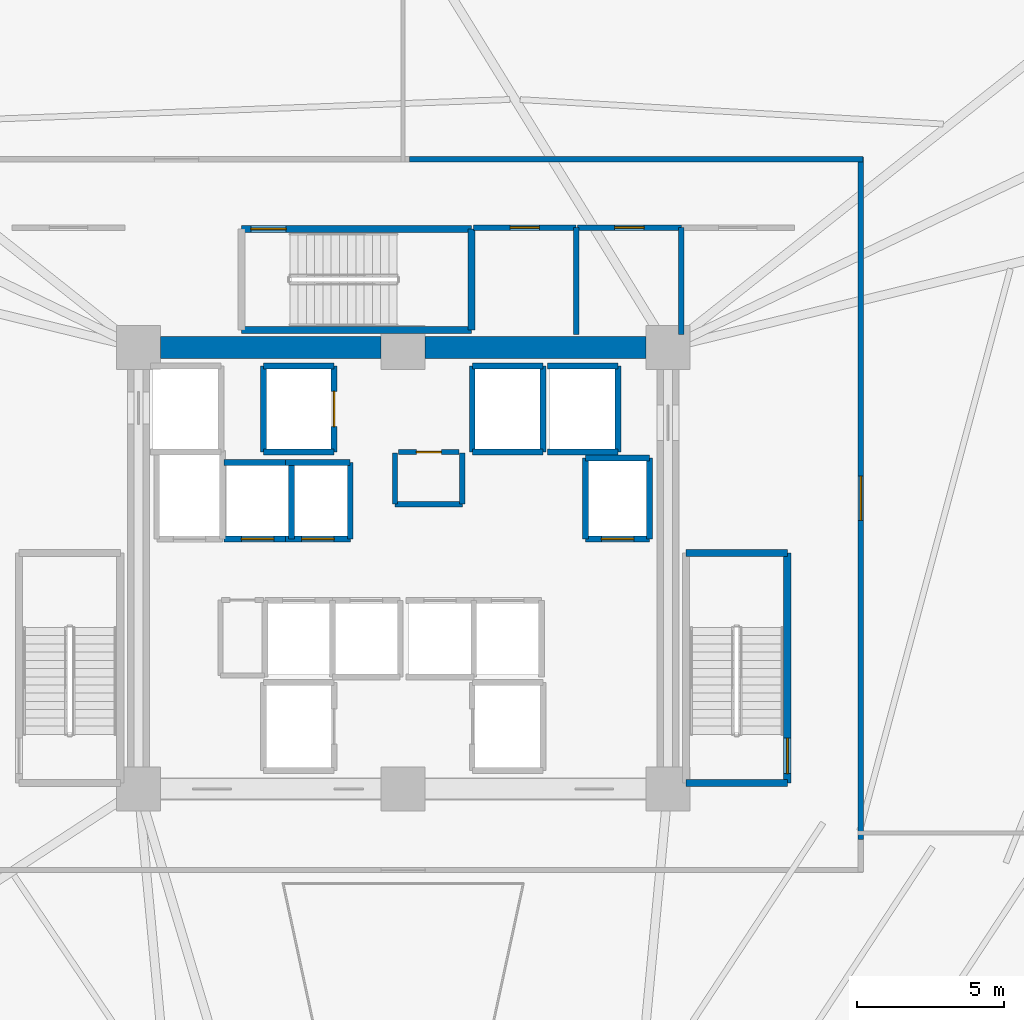
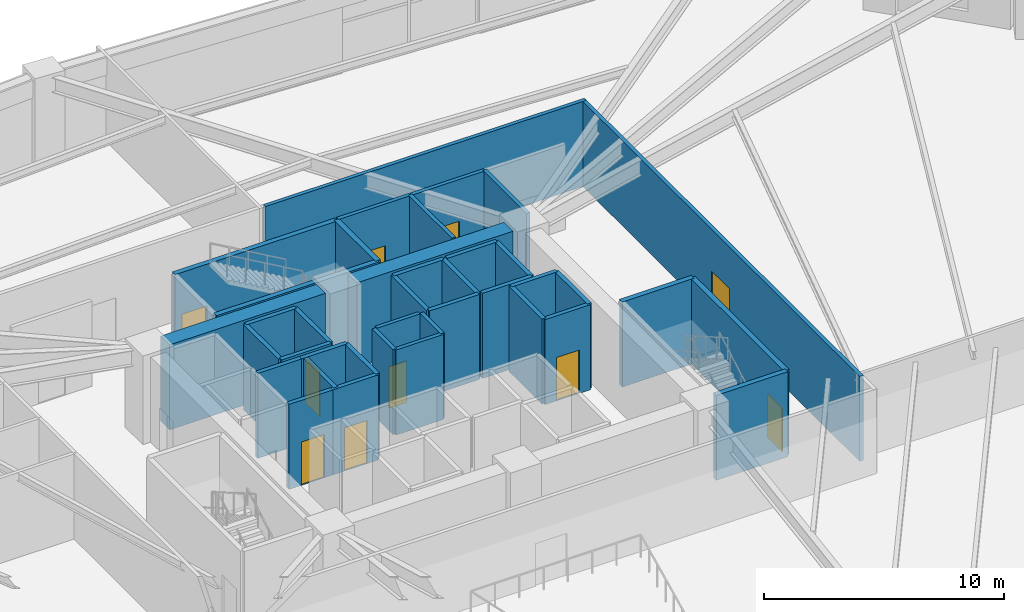
# One storey, part 27 of 30: 39 walls, 10 doors, 10 openings.
"""IFC4 building model written with IfcOpenShell, lengths in metres."""

from ifc_helpers import new_model, si_unit, direction, frame, frame_2d, origin, place, context, subcontext, project, spatial, rectangle, extrude, source, transform, mapped, material, layer, layer_set, type_object, element, fill, save


model = new_model("IFC4")

# Units and contexts
model_context = context("Model", 3, precision=1e-05, world=origin(), true_north=direction((0.0, 1.0)))
body_context = subcontext(model_context, "Body", "Model", "MODEL_VIEW")
ifc_project = project(units=[si_unit("LENGTHUNIT", "METRE"), si_unit("AREAUNIT", "SQUARE_METRE"), si_unit("VOLUMEUNIT", "CUBIC_METRE"), si_unit("PLANEANGLEUNIT", "RADIAN"), si_unit("MASSUNIT", "GRAM", prefix="KILO")], contexts=[model_context])

# Site, building, storey
site_placement = place(None, origin())
site = spatial("IfcSite", under=ifc_project, at=site_placement, CompositionType="ELEMENT")
building_placement = place(site_placement, origin())
building = spatial("IfcBuilding", under=site, at=building_placement, Name="Liaohun Quay Tower", CompositionType="ELEMENT")
storey_placement = place(building_placement, frame((0.0, 0.0, 97.5)))
storey = spatial("IfcBuildingStorey", under=building, at=storey_placement, Name="L25", CompositionType="ELEMENT", Elevation=97.5)

# Walls
ifc_material_1 = material(Name="Concrete C60", Category="concrete")
ifc_layer_1 = layer(ifc_material_1, 0.75, Name="Concrete C60", Category="concrete")
ifc_layer_set_1 = layer_set([ifc_layer_1], Name="Concrete C60")
wall_type_1 = type_object("IfcWallType", Name="WAL-COR-Z2", PredefinedType="SHEAR", material=ifc_layer_set_1)
for number, where, z_axis, x_axis, name in (
    (1, (51.75, 61.5, 0.0), (0.0, 0.0, 1.0), (1.0, 0.0, 0.0), "L25 Central Core Shear Wall N-W"),
    (2, (60.75, 61.5, 0.0), (0.0, 0.0, 1.0), (1.0, 0.0, 0.0), "L25 Central Core Shear Wall N-E"),
):
    element("IfcWall", number, at=place(storey_placement, frame(where, z_axis=z_axis, x_axis=x_axis)), inside=storey, type_object=wall_type_1, Name=name, PredefinedType="SHEAR", context=body_context, shape_type="SweptSolid", body=[
        extrude(rectangle(XDim=7.5, YDim=0.75, at=frame_2d((3.75, 0.0))), origin(), (0.0, 0.0, 1.0), 4.320068359375),
    ])

# Wall, opening, door
ifc_material_2 = material(Name="Autoclaved aerated concrete blockwork", Category="masonry")
ifc_layer_2 = layer(ifc_material_2, 0.179931640625, Name="Autoclaved aerated concrete blockwork", Category="masonry")
ifc_layer_set_2 = layer_set([ifc_layer_2], Name="Autoclaved aerated concrete blockwork")
wall_type_2 = type_object("IfcWallType", Name="WAL-PRT-COR", PredefinedType="PARTITIONING", material=ifc_layer_set_2)
wall_1_placement = place(storey_placement, frame((59.840087890625, 57.949951171875, 0.0), z_axis=(0.0, 0.0, 1.0), x_axis=(1.0, 0.0, 0.0)))
wall_1 = element("IfcWall", 3, at=wall_1_placement, inside=storey, type_object=wall_type_2, Name="L25 Interior Partition Wall 001", PredefinedType="PARTITIONING", context=body_context, shape_type="SweptSolid", body=[
    extrude(rectangle(XDim=2.059814453125, YDim=0.179931640625, at=frame_2d((1.02978515625, 0.0))), origin(), (0.0, 0.0, 1.0), 4.320068359375),
])
shared_shape_1 = source(origin(), body_context, "Body", "SweptSolid", [
    extrude(rectangle(XDim=0.85009765625, YDim=2.10009765625, at=frame_2d((0.425048828125, 1.050048828125))), frame((0.0, 0.099853515625, 0.0), z_axis=(0.0, -1.0, 0.0), x_axis=(1.0, 0.0, 0.0)), (0.0, 0.0, 1.0), 0.199951171875),
])
opening_1_placement = place(wall_1_placement, frame((0.60498046875, 0.0, 0.0)))
opening_1 = element("IfcOpeningElement", 4, at=opening_1_placement, cuts=wall_1, Name="Opening AD1", PredefinedType="OPENING", context=body_context, shape_type="MappedRepresentation", body=[
    mapped(shared_shape_1, transform((0.0, 0.0, 0.0), x_axis=(1.0, 0.0, 0.0), y_axis=(0.0, 1.0, 0.0), z_axis=(0.0, 0.0, 1.0), scale=1.0)),
])
ifc_material_3 = material(Name="Steel riser inspection fire door", Category="steel")
door_type_1 = type_object("IfcDoorType", Name="DOR-SHF-850", OperationType="NOTDEFINED", PredefinedType="DOOR", material=ifc_material_3)
shared_shape_2 = source(origin(), body_context, "Body", "SweptSolid", [
    extrude(rectangle(XDim=0.85009765625, YDim=2.10009765625, at=frame_2d((0.425048828125, 1.050048828125))), frame((0.0, 0.02490234375, 0.0), z_axis=(0.0, -1.0, 0.0), x_axis=(1.0, 0.0, 0.0)), (0.0, 0.0, 1.0), 0.050048828125),
])
door_1_placement = place(opening_1_placement, origin())
door_1 = element("IfcDoor", 5, at=door_1_placement, inside=storey, type_object=door_type_1, Name="L25 Core Janitor and Cleaner Store Door", OperationType="SINGLE_SWING_LEFT", OverallHeight=2.10009765625, OverallWidth=0.85009765625, PredefinedType="DOOR", context=body_context, shape_type="MappedRepresentation", body=[
    mapped(shared_shape_2, transform((0.0, 0.0, 0.0), x_axis=(1.0, 0.0, 0.0), y_axis=(0.0, 1.0, 0.0), z_axis=(0.0, 0.0, 1.0), scale=1.0)),
])
fill(opening_1, door_1)

wall_2_placement = place(storey_placement, frame((62.389892578125, 65.580078125, 0.0), z_axis=(0.0, 0.0, 1.0), x_axis=(1.0, 0.0, 0.0)))
wall_2 = element("IfcWall", 6, at=wall_2_placement, inside=storey, type_object=wall_type_2, Name="L25 Interior Partition Wall 006", PredefinedType="PARTITIONING", context=body_context, shape_type="SweptSolid", body=[
    extrude(rectangle(XDim=3.489990234375, YDim=0.179931640625, at=frame_2d((1.7451171875, 0.0))), origin(), (0.0, 0.0, 1.0), 4.320068359375),
])
shared_shape_3 = source(origin(), body_context, "Body", "SweptSolid", [
    extrude(rectangle(XDim=1.0, YDim=2.199951171875, at=frame_2d((0.5, 1.10009765625))), frame((0.0, 0.099853515625, 0.0), z_axis=(0.0, -1.0, 0.0), x_axis=(1.0, 0.0, 0.0)), (0.0, 0.0, 1.0), 0.199951171875),
])
opening_2_placement = place(wall_2_placement, frame((1.2451171875, 0.0, 0.0)))
opening_2 = element("IfcOpeningElement", 7, at=opening_2_placement, cuts=wall_2, Name="Opening OD1", PredefinedType="OPENING", context=body_context, shape_type="MappedRepresentation", body=[
    mapped(shared_shape_3, transform((0.0, 0.0, 0.0), x_axis=(1.0, 0.0, 0.0), y_axis=(0.0, 1.0, 0.0), z_axis=(0.0, 0.0, 1.0), scale=1.0)),
])
ifc_material_4 = material(Name="Solid-core oak veneer timber leaf in steel frame", Category="steel")
door_type_2 = type_object("IfcDoorType", Name="DOR-OFF-1000", OperationType="NOTDEFINED", PredefinedType="DOOR", material=ifc_material_4)
shared_shape_4 = source(origin(), body_context, "Body", "SweptSolid", [
    extrude(rectangle(XDim=1.0, YDim=2.199951171875, at=frame_2d((0.5, 1.10009765625))), frame((0.0, 0.02490234375, 0.0), z_axis=(0.0, -1.0, 0.0), x_axis=(1.0, 0.0, 0.0)), (0.0, 0.0, 1.0), 0.050048828125),
])
door_2_placement = place(opening_2_placement, origin())
door_2 = element("IfcDoor", 8, at=door_2_placement, inside=storey, type_object=door_type_2, Name="L25 North-East Archive Store Door", OperationType="SINGLE_SWING_RIGHT", OverallHeight=2.199951171875, OverallWidth=1.0, PredefinedType="DOOR", context=body_context, shape_type="MappedRepresentation", body=[
    mapped(shared_shape_4, transform((0.0, 0.0, 0.0), x_axis=(1.0, 0.0, 0.0), y_axis=(0.0, 1.0, 0.0), z_axis=(0.0, 0.0, 1.0), scale=1.0)),
])
fill(opening_2, door_2)

wall_3_placement = place(storey_placement, frame((65.919921875, 65.580078125, 0.0), z_axis=(0.0, 0.0, 1.0), x_axis=(1.0, 0.0, 0.0)))
wall_3 = element("IfcWall", 9, at=wall_3_placement, inside=storey, type_object=wall_type_2, Name="L25 Interior Partition Wall 007", PredefinedType="PARTITIONING", context=body_context, shape_type="SweptSolid", body=[
    extrude(rectangle(XDim=3.5400390625, YDim=0.179931640625, at=frame_2d((1.77001953125, 0.0))), origin(), (0.0, 0.0, 1.0), 4.320068359375),
])
opening_3_placement = place(wall_3_placement, frame((1.27001953125, 0.0, 0.0)))
opening_3 = element("IfcOpeningElement", 10, at=opening_3_placement, cuts=wall_3, Name="Opening OD1", PredefinedType="OPENING", context=body_context, shape_type="MappedRepresentation", body=[
    mapped(shared_shape_3, transform((0.0, 0.0, 0.0), x_axis=(1.0, 0.0, 0.0), y_axis=(0.0, 1.0, 0.0), z_axis=(0.0, 0.0, 1.0), scale=1.0)),
])
door_3_placement = place(opening_3_placement, origin())
door_3 = element("IfcDoor", 11, at=door_3_placement, inside=storey, type_object=door_type_2, Name="L25 North-East Pantry Room Door", OperationType="SINGLE_SWING_LEFT", OverallHeight=2.199951171875, OverallWidth=1.0, PredefinedType="DOOR", context=body_context, shape_type="MappedRepresentation", body=[
    mapped(shared_shape_4, transform((0.0, 0.0, 0.0), x_axis=(1.0, 0.0, 0.0), y_axis=(0.0, 1.0, 0.0), z_axis=(0.0, 0.0, 1.0), scale=1.0)),
])
fill(opening_3, door_3)

wall_4_placement = place(storey_placement, frame((75.56005859375, 67.97998046875, 0.0), z_axis=(0.0, 0.0, 1.0), x_axis=(0.0, -1.0, 0.0)))
wall_4 = element("IfcWall", 12, at=wall_4_placement, inside=storey, type_object=wall_type_2, Name="L25 Interior Partition Wall 010", PredefinedType="PARTITIONING", context=body_context, shape_type="SweptSolid", body=[
    extrude(rectangle(XDim=23.195068359375, YDim=0.179931640625, at=frame_2d((11.59765625, 0.0))), origin(), (0.0, 0.0, 1.0), 4.320068359375),
])
shared_shape_5 = source(origin(), body_context, "Body", "SweptSolid", [
    extrude(rectangle(XDim=1.5, YDim=2.199951171875, at=frame_2d((0.75, 1.10009765625))), frame((0.0, 0.099853515625, 0.0), z_axis=(0.0, -1.0, 0.0), x_axis=(1.0, 0.0, 0.0)), (0.0, 0.0, 1.0), 0.199951171875),
])
opening_4_placement = place(wall_4_placement, frame((10.847900390625, 0.0, 0.0)))
opening_4 = element("IfcOpeningElement", 13, at=opening_4_placement, cuts=wall_4, Name="Opening OD2", PredefinedType="OPENING", context=body_context, shape_type="MappedRepresentation", body=[
    mapped(shared_shape_5, transform((0.0, 0.0, 0.0), x_axis=(1.0, 0.0, 0.0), y_axis=(0.0, 1.0, 0.0), z_axis=(0.0, 0.0, 1.0), scale=1.0)),
])
ifc_material_5 = material(Name="Acoustic oak veneer double door")
door_type_3 = type_object("IfcDoorType", Name="DOR-OFF-1500", OperationType="DOUBLE_DOOR_SINGLE_SWING", PredefinedType="DOOR", material=ifc_material_5)
shared_shape_6 = source(origin(), body_context, "Body", "SweptSolid", [
    extrude(rectangle(XDim=1.5, YDim=2.199951171875, at=frame_2d((0.75, 1.10009765625))), frame((0.0, 0.02490234375, 0.0), z_axis=(0.0, -1.0, 0.0), x_axis=(1.0, 0.0, 0.0)), (0.0, 0.0, 1.0), 0.050048828125),
])
door_4_placement = place(opening_4_placement, origin())
door_4 = element("IfcDoor", 14, at=door_4_placement, inside=storey, type_object=door_type_3, Name="L25 Low-Zone Sky Lobby Transfer Concourse 01 Door", OperationType="DOUBLE_DOOR_SINGLE_SWING", OverallHeight=2.199951171875, OverallWidth=1.5, PredefinedType="DOOR", context=body_context, shape_type="MappedRepresentation", body=[
    mapped(shared_shape_6, transform((0.0, 0.0, 0.0), x_axis=(1.0, 0.0, 0.0), y_axis=(0.0, 1.0, 0.0), z_axis=(0.0, 0.0, 1.0), scale=1.0)),
])
fill(opening_4, door_4)

# Walls
for number, where, z_axis, x_axis, name in (
    (15, (59.719970703125, 56.179931640625, 0.0), (0.0, 0.0, 1.0), (0.0, 1.0, 0.0), "L25 Interior Partition Wall 013"),
    (16, (62.010009765625, 56.179931640625, 0.0), (0.0, 0.0, 1.0), (0.0, 1.0, 0.0), "L25 Interior Partition Wall 014"),
):
    element("IfcWall", number, at=place(storey_placement, frame(where, z_axis=z_axis, x_axis=x_axis)), inside=storey, type_object=wall_type_2, Name=name, PredefinedType="PARTITIONING", context=body_context, shape_type="SweptSolid", body=[
        extrude(rectangle(XDim=1.739990234375, YDim=0.179931640625, at=frame_2d((0.8701171875, 0.0))), origin(), (0.0, 0.0, 1.0), 4.320068359375),
    ])
wall_5_placement = place(storey_placement, frame((59.719970703125, 56.179931640625, 0.0), z_axis=(0.0, 0.0, 1.0), x_axis=(1.0, 0.0, 0.0)))
element("IfcWall", 17, at=wall_5_placement, inside=storey, type_object=wall_type_2, Name="L25 Interior Partition Wall 015", PredefinedType="PARTITIONING", context=body_context, shape_type="SweptSolid", body=[
    extrude(rectangle(XDim=2.2900390625, YDim=0.179931640625, at=frame_2d((1.14501953125, 0.0))), origin(), (0.0, 0.0, 1.0), 4.320068359375),
])
for number, where, z_axis, x_axis, name in (
    (18, (65.8798828125, 61.949951171875, 0.0), (0.0, 0.0, 1.0), (0.0, 1.0, 0.0), "L25 Interior Partition Wall 023"),
    (19, (69.4599609375, 61.949951171875, 0.0), (0.0, 0.0, 1.0), (0.0, 1.0, 0.0), "L25 Interior Partition Wall 024"),
):
    element("IfcWall", number, at=place(storey_placement, frame(where, z_axis=z_axis, x_axis=x_axis)), inside=storey, type_object=wall_type_2, Name=name, PredefinedType="PARTITIONING", context=body_context, shape_type="SweptSolid", body=[
        extrude(rectangle(XDim=3.630126953125, YDim=0.179931640625, at=frame_2d((1.81494140625, 0.0))), origin(), (0.0, 0.0, 1.0), 4.320068359375),
    ])
wall_6_placement = place(storey_placement, frame((60.215087890625, 67.909912109375, 0.0), z_axis=(0.0, 0.0, 1.0), x_axis=(1.0, 0.0, 0.0)))
element("IfcWall", 20, at=wall_6_placement, inside=storey, type_object=wall_type_2, Name="L25 Interior Partition Wall 025", PredefinedType="PARTITIONING", context=body_context, shape_type="SweptSolid", body=[
    extrude(rectangle(XDim=15.414794921875, YDim=0.179931640625, at=frame_2d((7.70751953125, 0.0))), origin(), (0.0, 0.0, 1.0), 4.320068359375),
])
ifc_material_6 = material(Name="Concrete C50", Category="concrete")
ifc_layer_3 = layer(ifc_material_6, 0.239990234375, Name="Concrete C50", Category="concrete")
ifc_layer_set_3 = layer_set([ifc_layer_3], Name="Concrete C50")
wall_type_3 = type_object("IfcWallType", Name="WAL-SHF-200", PredefinedType="SOLIDWALL", material=ifc_layer_set_3)
wall_7_placement = place(storey_placement, frame((69.6201171875, 46.699951171875, 0.0), z_axis=(0.0, 0.0, 1.0), x_axis=(1.0, 0.0, 0.0)))
element("IfcWall", 21, at=wall_7_placement, inside=storey, type_object=wall_type_3, Name="L25 Stairwell ST-2 Structural Core Wall S", PredefinedType="SOLIDWALL", context=body_context, shape_type="SweptSolid", body=[
    extrude(rectangle(XDim=3.43994140625, YDim=0.239990234375, at=frame_2d((1.719970703125, 0.0))), origin(), (0.0, 0.0, 1.0), 4.320068359375),
])

# Wall, opening, door
wall_8_placement = place(storey_placement, frame((73.06005859375, 46.699951171875, 0.0), z_axis=(0.0, 0.0, 1.0), x_axis=(0.0, 1.0, 0.0)))
wall_8 = element("IfcWall", 22, at=wall_8_placement, inside=storey, type_object=wall_type_3, Name="L25 Stairwell ST-2 Structural Core Wall E", PredefinedType="SOLIDWALL", context=body_context, shape_type="SweptSolid", body=[
    extrude(rectangle(XDim=7.820068359375, YDim=0.239990234375, at=frame_2d((3.91015625, 0.0))), origin(), (0.0, 0.0, 1.0), 4.320068359375),
])
shared_shape_7 = source(origin(), body_context, "Body", "SweptSolid", [
    extrude(rectangle(XDim=1.199951171875, YDim=2.199951171875, at=frame_2d((0.60009765625, 1.10009765625))), frame((0.0, 0.1298828125, 0.0), z_axis=(0.0, -1.0, 0.0), x_axis=(1.0, 0.0, 0.0)), (0.0, 0.0, 1.0), 0.260009765625),
])
opening_5_placement = place(wall_8_placement, frame((0.320068359375, 0.0, 0.0)))
opening_5 = element("IfcOpeningElement", 23, at=opening_5_placement, cuts=wall_8, Name="Opening SD1", PredefinedType="OPENING", context=body_context, shape_type="MappedRepresentation", body=[
    mapped(shared_shape_7, transform((0.0, 0.0, 0.0), x_axis=(1.0, 0.0, 0.0), y_axis=(0.0, 1.0, 0.0), z_axis=(0.0, 0.0, 1.0), scale=1.0)),
])
ifc_material_7 = material(Name="Galvanised steel fire door", Category="steel")
door_type_4 = type_object("IfcDoorType", Name="DOR-STR-1200", OperationType="NOTDEFINED", PredefinedType="DOOR", material=ifc_material_7)
shared_shape_8 = source(origin(), body_context, "Body", "SweptSolid", [
    extrude(rectangle(XDim=1.199951171875, YDim=2.199951171875, at=frame_2d((0.60009765625, 1.10009765625))), frame((0.0, 0.02490234375, 0.0), z_axis=(0.0, -1.0, 0.0), x_axis=(1.0, 0.0, 0.0)), (0.0, 0.0, 1.0), 0.050048828125),
])
door_5_placement = place(opening_5_placement, origin())
door_5 = element("IfcDoor", 24, at=door_5_placement, inside=storey, type_object=door_type_4, Name="L25 Protected Stair ST-2 Fire Door", OperationType="SINGLE_SWING_RIGHT", OverallHeight=2.199951171875, OverallWidth=1.199951171875, PredefinedType="DOOR", context=body_context, shape_type="MappedRepresentation", body=[
    mapped(shared_shape_8, transform((0.0, 0.0, 0.0), x_axis=(1.0, 0.0, 0.0), y_axis=(0.0, 1.0, 0.0), z_axis=(0.0, 0.0, 1.0), scale=1.0)),
])
fill(opening_5, door_5)

# Walls
wall_9_placement = place(storey_placement, frame((73.06005859375, 54.52001953125, 0.0), z_axis=(0.0, 0.0, 1.0), x_axis=(-1.0, 0.0, 0.0)))
element("IfcWall", 25, at=wall_9_placement, inside=storey, type_object=wall_type_3, Name="L25 Stairwell ST-2 Structural Core Wall N", PredefinedType="SOLIDWALL", context=body_context, shape_type="SweptSolid", body=[
    extrude(rectangle(XDim=3.43994140625, YDim=0.239990234375, at=frame_2d((1.719970703125, 0.0))), origin(), (0.0, 0.0, 1.0), 4.320068359375),
])
wall_10_placement = place(storey_placement, frame((54.5, 62.10009765625, 0.0), z_axis=(0.0, 0.0, 1.0), x_axis=(1.0, 0.0, 0.0)))
element("IfcWall", 26, at=wall_10_placement, inside=storey, type_object=wall_type_3, Name="L25 Stairwell ST-3 Structural Core Wall S", PredefinedType="SOLIDWALL", context=body_context, shape_type="SweptSolid", body=[
    extrude(rectangle(XDim=7.820068359375, YDim=0.239990234375, at=frame_2d((3.91015625, 0.0))), origin(), (0.0, 0.0, 1.0), 4.320068359375),
])
wall_11_placement = place(storey_placement, frame((62.320068359375, 62.10009765625, 0.0), z_axis=(0.0, 0.0, 1.0), x_axis=(0.0, 1.0, 0.0)))
element("IfcWall", 27, at=wall_11_placement, inside=storey, type_object=wall_type_3, Name="L25 Stairwell ST-3 Structural Core Wall E", PredefinedType="SOLIDWALL", context=body_context, shape_type="SweptSolid", body=[
    extrude(rectangle(XDim=3.43994140625, YDim=0.239990234375, at=frame_2d((1.719970703125, 0.0))), origin(), (0.0, 0.0, 1.0), 4.320068359375),
])

# Wall, opening, door
wall_12_placement = place(storey_placement, frame((62.320068359375, 65.5400390625, 0.0), z_axis=(0.0, 0.0, 1.0), x_axis=(-1.0, 0.0, 0.0)))
wall_12 = element("IfcWall", 28, at=wall_12_placement, inside=storey, type_object=wall_type_3, Name="L25 Stairwell ST-3 Structural Core Wall N", PredefinedType="SOLIDWALL", context=body_context, shape_type="SweptSolid", body=[
    extrude(rectangle(XDim=7.820068359375, YDim=0.239990234375, at=frame_2d((3.91015625, 0.0))), origin(), (0.0, 0.0, 1.0), 4.320068359375),
])
opening_6_placement = place(wall_12_placement, frame((6.300048828125, 0.0, 0.0)))
opening_6 = element("IfcOpeningElement", 29, at=opening_6_placement, cuts=wall_12, Name="Opening SD1", PredefinedType="OPENING", context=body_context, shape_type="MappedRepresentation", body=[
    mapped(shared_shape_7, transform((0.0, 0.0, 0.0), x_axis=(1.0, 0.0, 0.0), y_axis=(0.0, 1.0, 0.0), z_axis=(0.0, 0.0, 1.0), scale=1.0)),
])
door_6_placement = place(opening_6_placement, origin())
door_6 = element("IfcDoor", 30, at=door_6_placement, inside=storey, type_object=door_type_4, Name="L25 Protected Stair ST-3 Fire Door", OperationType="SINGLE_SWING_RIGHT", OverallHeight=2.199951171875, OverallWidth=1.199951171875, PredefinedType="DOOR", context=body_context, shape_type="MappedRepresentation", body=[
    mapped(shared_shape_8, transform((0.0, 0.0, 0.0), x_axis=(1.0, 0.0, 0.0), y_axis=(0.0, 1.0, 0.0), z_axis=(0.0, 0.0, 1.0), scale=1.0)),
])
fill(opening_6, door_6)

# Wall
wall_13_placement = place(storey_placement, frame((55.25, 57.949951171875, 0.0), z_axis=(0.0, 0.0, 1.0), x_axis=(1.0, 0.0, 0.0)))
element("IfcWall", 31, at=wall_13_placement, inside=storey, type_object=wall_type_3, Name="L25 Lift FF-03 Hoistway Wall S", PredefinedType="SOLIDWALL", context=body_context, shape_type="SweptSolid", body=[
    extrude(rectangle(XDim=2.39990234375, YDim=0.199951171875, at=frame_2d((1.199951171875, 0.0))), origin(), (0.0, 0.0, 1.0), 4.320068359375),
])

# Wall, opening, door
wall_14_placement = place(storey_placement, frame((57.64990234375, 57.949951171875, 0.0), z_axis=(0.0, 0.0, 1.0), x_axis=(0.0, 1.0, 0.0)))
wall_14 = element("IfcWall", 32, at=wall_14_placement, inside=storey, type_object=wall_type_3, Name="L25 Lift FF-03 Hoistway Wall E", PredefinedType="SOLIDWALL", context=body_context, shape_type="SweptSolid", body=[
    extrude(rectangle(XDim=2.929931640625, YDim=0.199951171875, at=frame_2d((1.46484375, 0.0))), origin(), (0.0, 0.0, 1.0), 4.320068359375),
])
shared_shape_9 = source(origin(), body_context, "Body", "SweptSolid", [
    extrude(rectangle(XDim=1.199951171875, YDim=2.300048828125, at=frame_2d((0.60009765625, 1.14990234375))), frame((0.0, 0.10986328125, 0.0), z_axis=(0.0, -1.0, 0.0), x_axis=(1.0, 0.0, 0.0)), (0.0, 0.0, 1.0), 0.219970703125),
])
opening_7_placement = place(wall_14_placement, frame((0.864990234375, 0.0, 0.0)))
opening_7 = element("IfcOpeningElement", 33, at=opening_7_placement, cuts=wall_14, Name="Opening LD2", PredefinedType="OPENING", context=body_context, shape_type="MappedRepresentation", body=[
    mapped(shared_shape_9, transform((0.0, 0.0, 0.0), x_axis=(1.0, 0.0, 0.0), y_axis=(0.0, 1.0, 0.0), z_axis=(0.0, 0.0, 1.0), scale=1.0)),
])
ifc_material_8 = material(Name="Brushed stainless steel stretcher landing door", Category="steel")
door_type_5 = type_object("IfcDoorType", Name="DOR-LFT-1200", OperationType="SLIDING_TO_LEFT", PredefinedType="DOOR", material=ifc_material_8)
shared_shape_10 = source(origin(), body_context, "Body", "SweptSolid", [
    extrude(rectangle(XDim=1.199951171875, YDim=2.300048828125, at=frame_2d((0.60009765625, 1.14990234375))), frame((0.0, 0.02490234375, 0.0), z_axis=(0.0, -1.0, 0.0), x_axis=(1.0, 0.0, 0.0)), (0.0, 0.0, 1.0), 0.050048828125),
])
door_7_placement = place(opening_7_placement, origin())
door_7 = element("IfcDoor", 34, at=door_7_placement, inside=storey, type_object=door_type_5, Name="L25 Lift FF-03 Sliding Landing Door", OperationType="SLIDING_TO_LEFT", OverallHeight=2.300048828125, OverallWidth=1.199951171875, PredefinedType="DOOR", context=body_context, shape_type="MappedRepresentation", body=[
    mapped(shared_shape_10, transform((0.0, 0.0, 0.0), x_axis=(1.0, 0.0, 0.0), y_axis=(0.0, 1.0, 0.0), z_axis=(0.0, 0.0, 1.0), scale=1.0)),
])
fill(opening_7, door_7)

# Walls
wall_15_placement = place(storey_placement, frame((57.64990234375, 60.8798828125, 0.0), z_axis=(0.0, 0.0, 1.0), x_axis=(-1.0, 0.0, 0.0)))
element("IfcWall", 35, at=wall_15_placement, inside=storey, type_object=wall_type_3, Name="L25 Lift FF-03 Hoistway Wall N", PredefinedType="SOLIDWALL", context=body_context, shape_type="SweptSolid", body=[
    extrude(rectangle(XDim=2.39990234375, YDim=0.199951171875, at=frame_2d((1.199951171875, 0.0))), origin(), (0.0, 0.0, 1.0), 4.320068359375),
])
wall_16_placement = place(storey_placement, frame((55.25, 60.8798828125, 0.0), z_axis=(0.0, 0.0, 1.0), x_axis=(0.0, -1.0, 0.0)))
element("IfcWall", 36, at=wall_16_placement, inside=storey, type_object=wall_type_3, Name="L25 Lift FF-03 Hoistway Wall W", PredefinedType="SOLIDWALL", context=body_context, shape_type="SweptSolid", body=[
    extrude(rectangle(XDim=2.929931640625, YDim=0.199951171875, at=frame_2d((1.46484375, 0.0))), origin(), (0.0, 0.0, 1.0), 4.320068359375),
])
wall_17_placement = place(storey_placement, frame((62.35009765625, 57.949951171875, 0.0), z_axis=(0.0, 0.0, 1.0), x_axis=(1.0, 0.0, 0.0)))
element("IfcWall", 37, at=wall_17_placement, inside=storey, type_object=wall_type_3, Name="L25 Lift OB-01 Hoistway Wall S", PredefinedType="SOLIDWALL", context=body_context, shape_type="SweptSolid", body=[
    extrude(rectangle(XDim=2.39990234375, YDim=0.199951171875, at=frame_2d((1.199951171875, 0.0))), origin(), (0.0, 0.0, 1.0), 4.320068359375),
])
wall_18_placement = place(storey_placement, frame((64.75, 57.949951171875, 0.0), z_axis=(0.0, 0.0, 1.0), x_axis=(0.0, 1.0, 0.0)))
element("IfcWall", 38, at=wall_18_placement, inside=storey, type_object=wall_type_3, Name="L25 Lift OB-01 Hoistway Wall E", PredefinedType="SOLIDWALL", context=body_context, shape_type="SweptSolid", body=[
    extrude(rectangle(XDim=2.929931640625, YDim=0.199951171875, at=frame_2d((1.46484375, 0.0))), origin(), (0.0, 0.0, 1.0), 4.320068359375),
])
wall_19_placement = place(storey_placement, frame((64.75, 60.8798828125, 0.0), z_axis=(0.0, 0.0, 1.0), x_axis=(-1.0, 0.0, 0.0)))
element("IfcWall", 39, at=wall_19_placement, inside=storey, type_object=wall_type_3, Name="L25 Lift OB-01 Hoistway Wall N", PredefinedType="SOLIDWALL", context=body_context, shape_type="SweptSolid", body=[
    extrude(rectangle(XDim=2.39990234375, YDim=0.199951171875, at=frame_2d((1.199951171875, 0.0))), origin(), (0.0, 0.0, 1.0), 4.320068359375),
])
wall_20_placement = place(storey_placement, frame((62.35009765625, 60.8798828125, 0.0), z_axis=(0.0, 0.0, 1.0), x_axis=(0.0, -1.0, 0.0)))
element("IfcWall", 40, at=wall_20_placement, inside=storey, type_object=wall_type_3, Name="L25 Lift OB-01 Hoistway Wall W", PredefinedType="SOLIDWALL", context=body_context, shape_type="SweptSolid", body=[
    extrude(rectangle(XDim=2.929931640625, YDim=0.199951171875, at=frame_2d((1.46484375, 0.0))), origin(), (0.0, 0.0, 1.0), 4.320068359375),
])
wall_21_placement = place(storey_placement, frame((64.89990234375, 57.949951171875, 0.0), z_axis=(0.0, 0.0, 1.0), x_axis=(1.0, 0.0, 0.0)))
element("IfcWall", 41, at=wall_21_placement, inside=storey, type_object=wall_type_3, Name="L25 Lift OB-02 Hoistway Wall S", PredefinedType="SOLIDWALL", context=body_context, shape_type="SweptSolid", body=[
    extrude(rectangle(XDim=2.400146484375, YDim=0.199951171875, at=frame_2d((1.2001953125, 0.0))), origin(), (0.0, 0.0, 1.0), 4.320068359375),
])
wall_22_placement = place(storey_placement, frame((67.300048828125, 57.949951171875, 0.0), z_axis=(0.0, 0.0, 1.0), x_axis=(0.0, 1.0, 0.0)))
element("IfcWall", 42, at=wall_22_placement, inside=storey, type_object=wall_type_3, Name="L25 Lift OB-02 Hoistway Wall E", PredefinedType="SOLIDWALL", context=body_context, shape_type="SweptSolid", body=[
    extrude(rectangle(XDim=2.929931640625, YDim=0.199951171875, at=frame_2d((1.46484375, 0.0))), origin(), (0.0, 0.0, 1.0), 4.320068359375),
])
wall_23_placement = place(storey_placement, frame((67.300048828125, 60.8798828125, 0.0), z_axis=(0.0, 0.0, 1.0), x_axis=(-1.0, 0.0, 0.0)))
element("IfcWall", 43, at=wall_23_placement, inside=storey, type_object=wall_type_3, Name="L25 Lift OB-02 Hoistway Wall N", PredefinedType="SOLIDWALL", context=body_context, shape_type="SweptSolid", body=[
    extrude(rectangle(XDim=2.400146484375, YDim=0.199951171875, at=frame_2d((1.2001953125, 0.0))), origin(), (0.0, 0.0, 1.0), 4.320068359375),
])

# Wall, opening, door
wall_24_placement = place(storey_placement, frame((66.199951171875, 55.0, 0.0), z_axis=(0.0, 0.0, 1.0), x_axis=(1.0, 0.0, 0.0)))
wall_24 = element("IfcWall", 44, at=wall_24_placement, inside=storey, type_object=wall_type_3, Name="L25 Lift SH-03 Hoistway Wall S", PredefinedType="SOLIDWALL", context=body_context, shape_type="SweptSolid", body=[
    extrude(rectangle(XDim=2.179931640625, YDim=0.199951171875, at=frame_2d((1.08984375, 0.0))), origin(), (0.0, 0.0, 1.0), 4.320068359375),
])
shared_shape_11 = source(origin(), body_context, "Body", "SweptSolid", [
    extrude(rectangle(XDim=1.10009765625, YDim=2.199951171875, at=frame_2d((0.550048828125, 1.10009765625))), frame((0.0, 0.10986328125, 0.0), z_axis=(0.0, -1.0, 0.0), x_axis=(1.0, 0.0, 0.0)), (0.0, 0.0, 1.0), 0.219970703125),
])
opening_8_placement = place(wall_24_placement, frame((0.5400390625, 0.0, 0.0)))
opening_8 = element("IfcOpeningElement", 45, at=opening_8_placement, cuts=wall_24, Name="Opening LD1", PredefinedType="OPENING", context=body_context, shape_type="MappedRepresentation", body=[
    mapped(shared_shape_11, transform((0.0, 0.0, 0.0), x_axis=(1.0, 0.0, 0.0), y_axis=(0.0, 1.0, 0.0), z_axis=(0.0, 0.0, 1.0), scale=1.0)),
])
ifc_material_9 = material(Name="Brushed stainless steel landing door", Category="steel")
door_type_6 = type_object("IfcDoorType", Name="DOR-LFT-1100", OperationType="SLIDING_TO_LEFT", PredefinedType="DOOR", material=ifc_material_9)
shared_shape_12 = source(origin(), body_context, "Body", "SweptSolid", [
    extrude(rectangle(XDim=1.10009765625, YDim=2.199951171875, at=frame_2d((0.550048828125, 1.10009765625))), frame((0.0, 0.02490234375, 0.0), z_axis=(0.0, -1.0, 0.0), x_axis=(1.0, 0.0, 0.0)), (0.0, 0.0, 1.0), 0.050048828125),
])
door_8_placement = place(opening_8_placement, origin())
door_8 = element("IfcDoor", 46, at=door_8_placement, inside=storey, type_object=door_type_6, Name="L25 Lift SH-03 Sliding Landing Door", OperationType="SLIDING_TO_LEFT", OverallHeight=2.199951171875, OverallWidth=1.10009765625, PredefinedType="DOOR", context=body_context, shape_type="MappedRepresentation", body=[
    mapped(shared_shape_12, transform((0.0, 0.0, 0.0), x_axis=(1.0, 0.0, 0.0), y_axis=(0.0, 1.0, 0.0), z_axis=(0.0, 0.0, 1.0), scale=1.0)),
])
fill(opening_8, door_8)

# Walls
wall_25_placement = place(storey_placement, frame((68.3798828125, 55.0, 0.0), z_axis=(0.0, 0.0, 1.0), x_axis=(0.0, 1.0, 0.0)))
element("IfcWall", 47, at=wall_25_placement, inside=storey, type_object=wall_type_3, Name="L25 Lift SH-03 Hoistway Wall E", PredefinedType="SOLIDWALL", context=body_context, shape_type="SweptSolid", body=[
    extrude(rectangle(XDim=2.75, YDim=0.199951171875, at=frame_2d((1.375, 0.0))), origin(), (0.0, 0.0, 1.0), 4.320068359375),
])
wall_26_placement = place(storey_placement, frame((68.3798828125, 57.75, 0.0), z_axis=(0.0, 0.0, 1.0), x_axis=(-1.0, 0.0, 0.0)))
element("IfcWall", 48, at=wall_26_placement, inside=storey, type_object=wall_type_3, Name="L25 Lift SH-03 Hoistway Wall N", PredefinedType="SOLIDWALL", context=body_context, shape_type="SweptSolid", body=[
    extrude(rectangle(XDim=2.179931640625, YDim=0.199951171875, at=frame_2d((1.08984375, 0.0))), origin(), (0.0, 0.0, 1.0), 4.320068359375),
])
wall_27_placement = place(storey_placement, frame((66.199951171875, 57.75, 0.0), z_axis=(0.0, 0.0, 1.0), x_axis=(0.0, -1.0, 0.0)))
element("IfcWall", 49, at=wall_27_placement, inside=storey, type_object=wall_type_3, Name="L25 Lift SH-03 Hoistway Wall W", PredefinedType="SOLIDWALL", context=body_context, shape_type="SweptSolid", body=[
    extrude(rectangle(XDim=2.75, YDim=0.199951171875, at=frame_2d((1.375, 0.0))), origin(), (0.0, 0.0, 1.0), 4.320068359375),
])

# Wall, opening, door
wall_28_placement = place(storey_placement, frame((53.89990234375, 55.0, 0.0), z_axis=(0.0, 0.0, 1.0), x_axis=(1.0, 0.0, 0.0)))
wall_28 = element("IfcWall", 50, at=wall_28_placement, inside=storey, type_object=wall_type_3, Name="L25 Lift PL-2B Hoistway Wall S", PredefinedType="SOLIDWALL", context=body_context, shape_type="SweptSolid", body=[
    extrude(rectangle(XDim=2.300048828125, YDim=0.199951171875, at=frame_2d((1.14990234375, 0.0))), origin(), (0.0, 0.0, 1.0), 4.320068359375),
])
opening_9_placement = place(wall_28_placement, frame((0.60009765625, 0.0, 0.0)))
opening_9 = element("IfcOpeningElement", 51, at=opening_9_placement, cuts=wall_28, Name="Opening LD1", PredefinedType="OPENING", context=body_context, shape_type="MappedRepresentation", body=[
    mapped(shared_shape_11, transform((0.0, 0.0, 0.0), x_axis=(1.0, 0.0, 0.0), y_axis=(0.0, 1.0, 0.0), z_axis=(0.0, 0.0, 1.0), scale=1.0)),
])
door_9_placement = place(opening_9_placement, origin())
door_9 = element("IfcDoor", 52, at=door_9_placement, inside=storey, type_object=door_type_6, Name="L25 Lift PL-2B Sliding Landing Door", OperationType="SLIDING_TO_LEFT", OverallHeight=2.199951171875, OverallWidth=1.10009765625, PredefinedType="DOOR", context=body_context, shape_type="MappedRepresentation", body=[
    mapped(shared_shape_12, transform((0.0, 0.0, 0.0), x_axis=(1.0, 0.0, 0.0), y_axis=(0.0, 1.0, 0.0), z_axis=(0.0, 0.0, 1.0), scale=1.0)),
])
fill(opening_9, door_9)

# Walls
wall_29_placement = place(storey_placement, frame((56.199951171875, 55.0, 0.0), z_axis=(0.0, 0.0, 1.0), x_axis=(0.0, 1.0, 0.0)))
element("IfcWall", 53, at=wall_29_placement, inside=storey, type_object=wall_type_3, Name="L25 Lift PL-2B Hoistway Wall E", PredefinedType="SOLIDWALL", context=body_context, shape_type="SweptSolid", body=[
    extrude(rectangle(XDim=2.60009765625, YDim=0.199951171875, at=frame_2d((1.300048828125, 0.0))), origin(), (0.0, 0.0, 1.0), 4.320068359375),
])
wall_30_placement = place(storey_placement, frame((56.199951171875, 57.60009765625, 0.0), z_axis=(0.0, 0.0, 1.0), x_axis=(-1.0, 0.0, 0.0)))
element("IfcWall", 54, at=wall_30_placement, inside=storey, type_object=wall_type_3, Name="L25 Lift PL-2B Hoistway Wall N", PredefinedType="SOLIDWALL", context=body_context, shape_type="SweptSolid", body=[
    extrude(rectangle(XDim=2.300048828125, YDim=0.199951171875, at=frame_2d((1.14990234375, 0.0))), origin(), (0.0, 0.0, 1.0), 4.320068359375),
])

# Wall, opening, door
wall_31_placement = place(storey_placement, frame((56.0, 55.0, 0.0), z_axis=(0.0, 0.0, 1.0), x_axis=(1.0, 0.0, 0.0)))
wall_31 = element("IfcWall", 55, at=wall_31_placement, inside=storey, type_object=wall_type_3, Name="L25 Lift PL-2C Hoistway Wall S", PredefinedType="SOLIDWALL", context=body_context, shape_type="SweptSolid", body=[
    extrude(rectangle(XDim=2.199951171875, YDim=0.199951171875, at=frame_2d((1.10009765625, 0.0))), origin(), (0.0, 0.0, 1.0), 4.320068359375),
])
opening_10_placement = place(wall_31_placement, frame((0.550048828125, 0.0, 0.0)))
opening_10 = element("IfcOpeningElement", 56, at=opening_10_placement, cuts=wall_31, Name="Opening LD1", PredefinedType="OPENING", context=body_context, shape_type="MappedRepresentation", body=[
    mapped(shared_shape_11, transform((0.0, 0.0, 0.0), x_axis=(1.0, 0.0, 0.0), y_axis=(0.0, 1.0, 0.0), z_axis=(0.0, 0.0, 1.0), scale=1.0)),
])
door_10_placement = place(opening_10_placement, origin())
door_10 = element("IfcDoor", 57, at=door_10_placement, inside=storey, type_object=door_type_6, Name="L25 Lift PL-2C Sliding Landing Door", OperationType="SLIDING_TO_LEFT", OverallHeight=2.199951171875, OverallWidth=1.10009765625, PredefinedType="DOOR", context=body_context, shape_type="MappedRepresentation", body=[
    mapped(shared_shape_12, transform((0.0, 0.0, 0.0), x_axis=(1.0, 0.0, 0.0), y_axis=(0.0, 1.0, 0.0), z_axis=(0.0, 0.0, 1.0), scale=1.0)),
])
fill(opening_10, door_10)

# Walls
wall_32_placement = place(storey_placement, frame((58.199951171875, 55.0, 0.0), z_axis=(0.0, 0.0, 1.0), x_axis=(0.0, 1.0, 0.0)))
element("IfcWall", 58, at=wall_32_placement, inside=storey, type_object=wall_type_3, Name="L25 Lift PL-2C Hoistway Wall E", PredefinedType="SOLIDWALL", context=body_context, shape_type="SweptSolid", body=[
    extrude(rectangle(XDim=2.60009765625, YDim=0.199951171875, at=frame_2d((1.300048828125, 0.0))), origin(), (0.0, 0.0, 1.0), 4.320068359375),
])
wall_33_placement = place(storey_placement, frame((58.199951171875, 57.60009765625, 0.0), z_axis=(0.0, 0.0, 1.0), x_axis=(-1.0, 0.0, 0.0)))
element("IfcWall", 59, at=wall_33_placement, inside=storey, type_object=wall_type_3, Name="L25 Lift PL-2C Hoistway Wall N", PredefinedType="SOLIDWALL", context=body_context, shape_type="SweptSolid", body=[
    extrude(rectangle(XDim=2.199951171875, YDim=0.199951171875, at=frame_2d((1.10009765625, 0.0))), origin(), (0.0, 0.0, 1.0), 4.320068359375),
])

save(model, "model.ifc")
